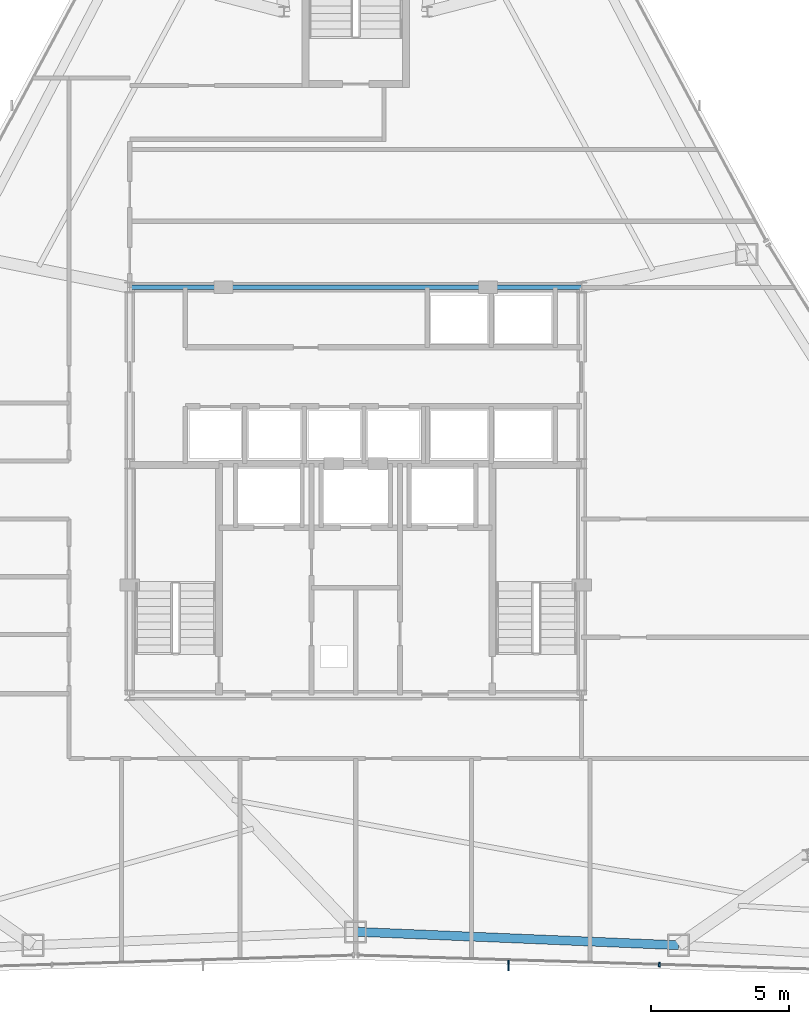
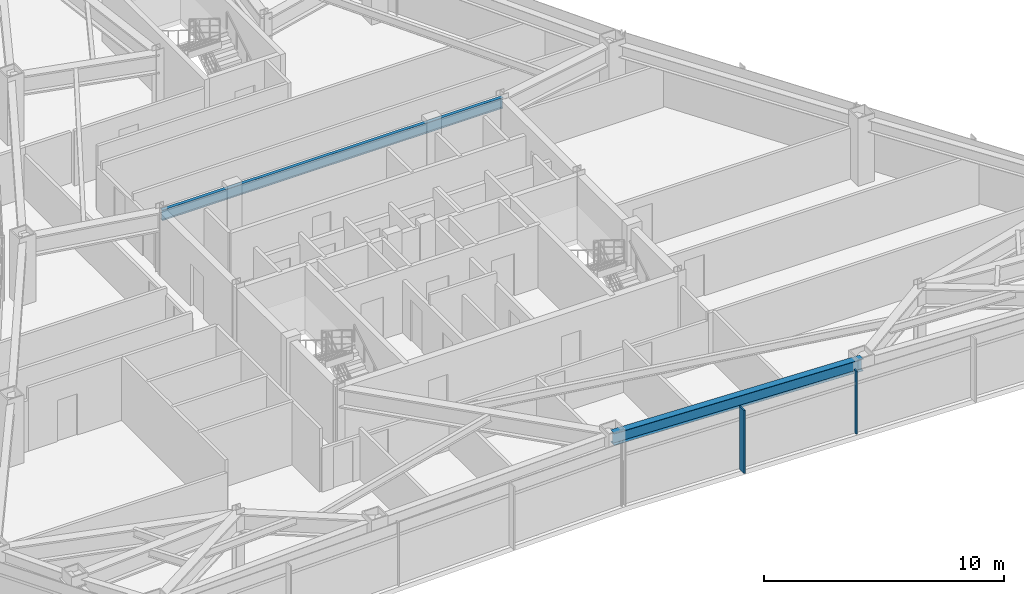
# One storey, part 6 of 13: 2 beams, 2 members, 1 element without a shape of its own.
"""IFC4 building model written with IfcOpenShell, lengths in metres."""

from ifc_helpers import new_model, si_unit, direction, frame, origin, origin_2d, place, context, subcontext, project, spatial, rectangle, i_section, extrude, source, transform, mapped, material, layer, layer_set, material_profile, profile_set, type_object, type_shapes, element, aggregate, save


model = new_model("IFC4")

# Units and contexts
model_context = context("Model", 3, precision=1e-05, world=origin(), true_north=direction((0.0, 1.0)))
body_context = subcontext(model_context, "Body", "Model", "MODEL_VIEW")
ifc_project = project(units=[si_unit("LENGTHUNIT", "METRE"), si_unit("AREAUNIT", "SQUARE_METRE"), si_unit("VOLUMEUNIT", "CUBIC_METRE"), si_unit("PLANEANGLEUNIT", "RADIAN"), si_unit("MASSUNIT", "GRAM", prefix="KILO")], contexts=[model_context])

# Site, building, storey
site_placement = place(None, origin())
site = spatial("IfcSite", under=ifc_project, at=site_placement, CompositionType="ELEMENT")
building_placement = place(site_placement, origin())
building = spatial("IfcBuilding", under=site, at=building_placement, Name="Varakhsha Concourse Tower", CompositionType="ELEMENT")
storey_placement = place(building_placement, frame((0.0, 0.0, 168.89990234375)))
storey = spatial("IfcBuildingStorey", under=building, at=storey_placement, Name="L48", CompositionType="ELEMENT", Elevation=168.89990234375)

# Beams
ifc_material_1 = material(Name="Structural Steel ASTM A992 Grade 50", Category="steel")
ifc_material_profile_1 = material_profile(ifc_material_1, i_section(OverallWidth=0.1669921875, OverallDepth=0.534912109375, WebThickness=0.010009765625, FlangeThickness=0.01708984375, at=origin_2d()), Name="W21X57")
ifc_profile_set_1 = profile_set([ifc_material_profile_1], Name="Structural Steel ASTM A992 Grade 50")
beam_type_1 = type_object("IfcBeamType", Name="BM-RAD-W21X57", PredefinedType="BEAM", material=ifc_profile_set_1)
beam_1_placement = place(storey_placement, frame((31.800048828125, 31.199951171875, 2.942626953125), z_axis=(1.0, 0.0, 0.0), x_axis=(0.0, 1.0, 0.0)))
element("IfcBeam", 1, at=beam_1_placement, inside=storey, type_object=beam_type_1, Name="BM-TCORE-L48-CN", PredefinedType="BEAM", context=body_context, shape_type="SweptSolid", body=[
    extrude(i_section(OverallWidth=0.1669921875, OverallDepth=0.534912109375, WebThickness=0.010009765625, FlangeThickness=0.01708984375, at=origin_2d()), origin(), (0.0, 0.0, 1.0), 16.39990234375),
])
ifc_material_profile_2 = material_profile(ifc_material_1, i_section(OverallWidth=0.323974609375, OverallDepth=0.611083984375, WebThickness=0.012939453125, FlangeThickness=0.01904296875, at=origin_2d()), Name="W24X104")
ifc_profile_set_2 = profile_set([ifc_material_profile_2], Name="Structural Steel ASTM A992 Grade 50")
beam_type_2 = type_object("IfcBeamType", Name="BM-SPAN-W24X104", PredefinedType="SPANDREL", material=ifc_profile_set_2)
beam_2_placement = place(storey_placement, frame((40.0, 7.812255859375, 2.904541015625), z_axis=(0.999128809081, -0.041732755292, 0.0), x_axis=(0.041732755292, 0.999128809081, 0.0)))
element("IfcBeam", 2, at=beam_2_placement, inside=storey, type_object=beam_type_2, Name="BM-SPAN-L48-11", PredefinedType="SPANDREL", context=body_context, shape_type="SweptSolid", body=[
    extrude(i_section(OverallWidth=0.323974609375, OverallDepth=0.611083984375, WebThickness=0.012939453125, FlangeThickness=0.01904296875, at=origin_2d()), origin(), (0.0, 0.0, 1.0), 11.7236328125),
])

# Curtain wall, members
ifc_material_2 = material(Name="Anodised Bronze Architectural Aluminium AA 6063-T6", Category="aluminium")
ifc_layer = layer(ifc_material_2, 0.2099609375, Name="CW-SYS-04")
ifc_layer_set = layer_set([ifc_layer], Name="Anodised Bronze Architectural Aluminium AA 6063-T6")
curtain_wall_type = type_object("IfcCurtainWallType", Name="CW-SYS-04", PredefinedType="NOTDEFINED", material=ifc_layer_set)
curtain_wall_placement = place(storey_placement, origin())
curtain_wall = element("IfcCurtainWall", 3, at=curtain_wall_placement, inside=storey, type_object=curtain_wall_type, Name="L48 Crystal Curtain Wall F6", PredefinedType="NOTDEFINED")
ifc_material_profile_3 = material_profile(ifc_material_2, rectangle(XDim=0.06005859375, YDim=0.3798828125, at=origin_2d()), Name="FIN-BRZ-380")
ifc_profile_set_3 = profile_set([ifc_material_profile_3], Name="Anodised Bronze Architectural Aluminium AA 6063-T6")
member_type_1 = type_object("IfcMemberType", Name="FIN-BRZ-380", PredefinedType="USERDEFINED", material=ifc_profile_set_3)
shared_shape_1 = source(origin(), body_context, "Body", "SweptSolid", [
    extrude(rectangle(XDim=0.06005859375, YDim=0.3798828125, at=origin_2d()), origin(), (0.0, 0.0, 1.0), 3.210205078125),
])
type_shapes(member_type_1, [shared_shape_1])
member_1_placement = place(storey_placement, frame((45.547119140625, 6.5859375, 0.0), z_axis=(0.0, 0.0, 1.0), x_axis=(1.0, 0.0, 0.0)))
member_1 = element("IfcMember", 4, at=member_1_placement, type_object=member_type_1, Name="L48 Anodised Bronze Solar Fin F6-2", ObjectType="SOLAR FIN", PredefinedType="USERDEFINED", context=body_context, shape_type="MappedRepresentation", body=[
    mapped(shared_shape_1, transform((0.0, 0.0, 0.0), scale=1.0)),
])
ifc_material_profile_4 = material_profile(ifc_material_2, rectangle(XDim=0.06494140625, YDim=0.179931640625, at=origin_2d()), Name="CWM-180X65")
ifc_profile_set_4 = profile_set([ifc_material_profile_4], Name="Anodised Bronze Architectural Aluminium AA 6063-T6")
member_type_2 = type_object("IfcMemberType", Name="CWM-180X65", PredefinedType="MULLION", material=ifc_profile_set_4)
shared_shape_2 = source(origin(), body_context, "Body", "SweptSolid", [
    extrude(rectangle(XDim=0.06494140625, YDim=0.179931640625, at=origin_2d()), origin(), (0.0, 0.0, 1.0), 3.210205078125),
])
type_shapes(member_type_2, [shared_shape_2])
member_2_placement = place(storey_placement, frame((51.021728515625, 6.623779296875, 0.0), z_axis=(0.0, 0.0, 1.0), x_axis=(-0.999534017137, 0.030524557085, 0.0)))
member_2 = element("IfcMember", 5, at=member_2_placement, type_object=member_type_2, Name="CW-L48-F6 Mullion 01", PredefinedType="MULLION", context=body_context, shape_type="MappedRepresentation", body=[
    mapped(shared_shape_2, transform((0.0, 0.0, 0.0), scale=1.0)),
])
aggregate(curtain_wall, [member_2, member_1])

save(model, "model.ifc")
